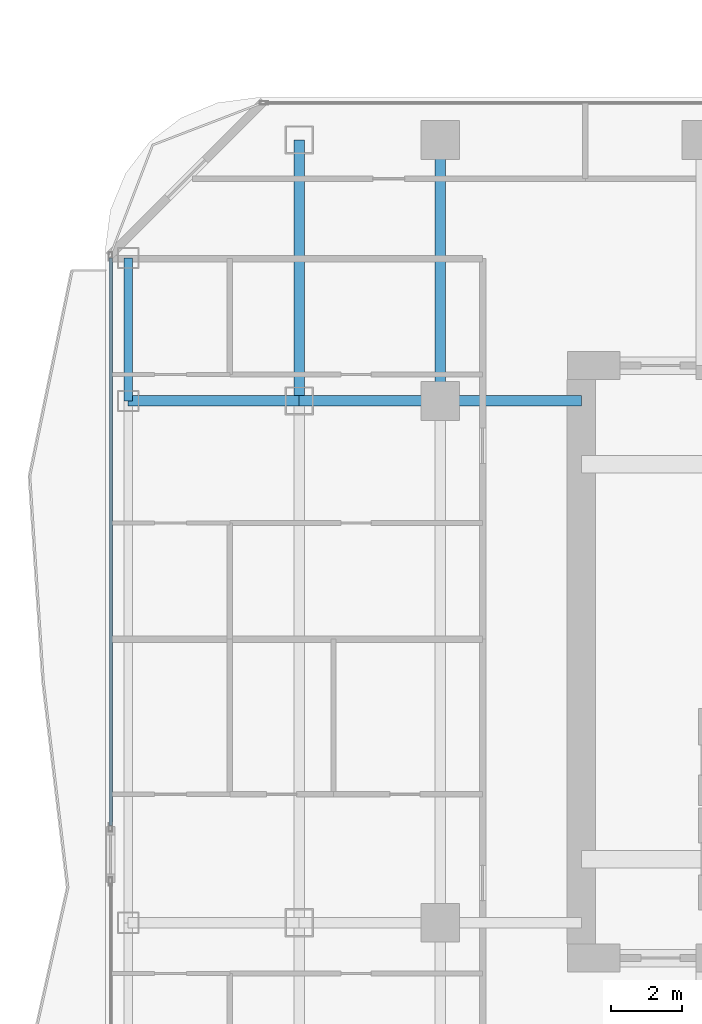
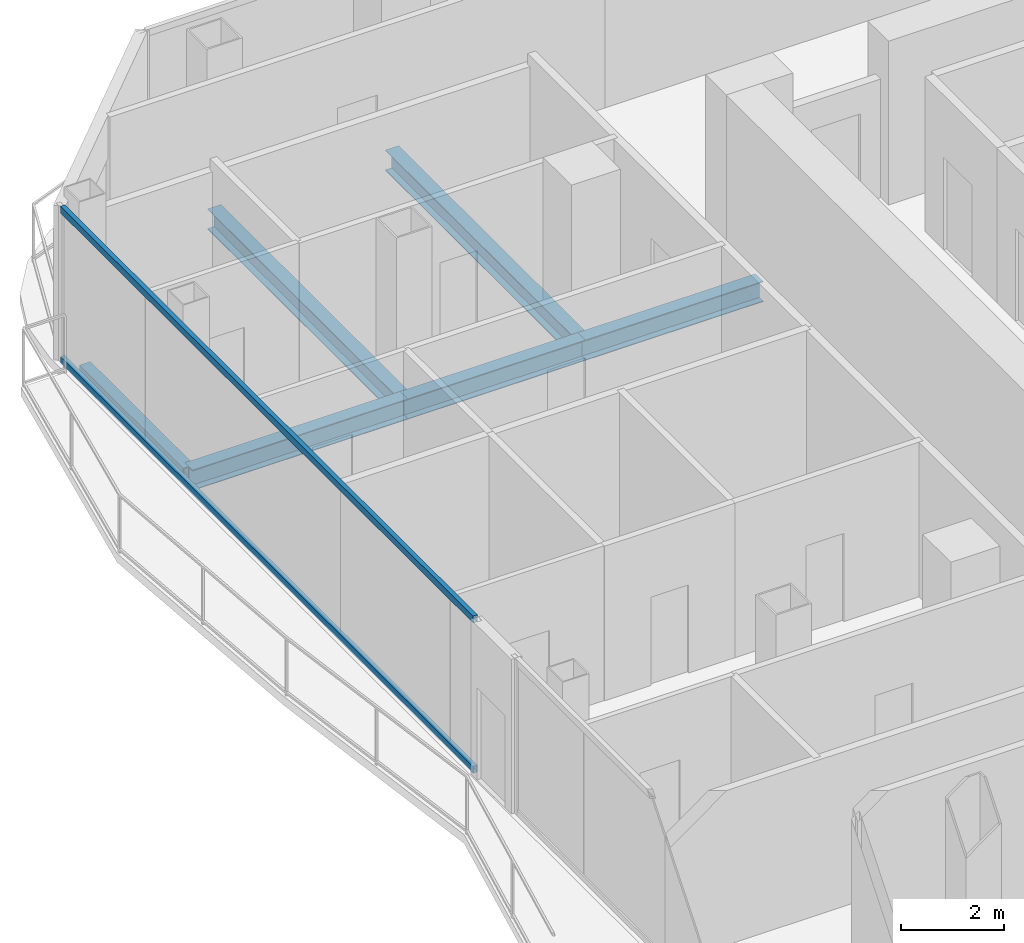
# One storey, part 10 of 23: 6 beams, 2 members, 1 element without a shape of its own.
"""IFC4 building model written with IfcOpenShell, lengths in metres."""

from ifc_helpers import new_model, si_unit, direction, frame, origin, origin_2d, place, context, subcontext, project, spatial, hollow_rectangle, i_section, extrude, material, layer, layer_set, material_profile, profile_set, type_object, element, aggregate, save


model = new_model("IFC4")

# Units and contexts
model_context = context("Model", 3, precision=1e-05, world=origin(), true_north=direction((0.0, 1.0)))
body_context = subcontext(model_context, "Body", "Model", "MODEL_VIEW")
ifc_project = project(units=[si_unit("LENGTHUNIT", "METRE"), si_unit("AREAUNIT", "SQUARE_METRE"), si_unit("VOLUMEUNIT", "CUBIC_METRE"), si_unit("PLANEANGLEUNIT", "RADIAN"), si_unit("MASSUNIT", "GRAM", prefix="KILO")], contexts=[model_context])

# Site, building, storey
site_placement = place(None, origin())
site = spatial("IfcSite", under=ifc_project, at=site_placement, CompositionType="ELEMENT")
building_placement = place(site_placement, origin())
building = spatial("IfcBuilding", under=site, at=building_placement, Name="Khorvyn Point Tower", CompositionType="ELEMENT")
storey_placement = place(building_placement, frame((0.0, 0.0, 195.300048828125)))
storey = spatial("IfcBuildingStorey", under=building, at=storey_placement, Name="L48", CompositionType="ELEMENT", Elevation=195.300048828125)

# Curtain wall, members
ifc_material_1 = material(Name="Anodised aluminium 6063-T6 and laminated Low-E glass", Category="aluminium")
ifc_layer = layer(ifc_material_1, 0.18994140625)
ifc_layer_set = layer_set([ifc_layer], Name="Stick-Built Acoustic Curtain Wall CW-SYS-03")
curtain_wall_type = type_object("IfcCurtainWallType", Name="Stick-Built Acoustic Curtain Wall CW-SYS-03", PredefinedType="NOTDEFINED", material=ifc_layer_set)
curtain_wall_placement = place(storey_placement, origin())
curtain_wall = element("IfcCurtainWall", 1, at=curtain_wall_placement, inside=storey, type_object=curtain_wall_type, Name="Curtain Wall", PredefinedType="NOTDEFINED")
ifc_material_2 = material(Name="Anodised aluminium 6063-T6", Category="aluminium")
ifc_material_profile_1 = material_profile(ifc_material_2, hollow_rectangle(XDim=0.10009765625, YDim=0.159912109375, WallThickness=0.00439453125, at=origin_2d()))
ifc_profile_set_1 = profile_set([ifc_material_profile_1], Name="Anodised aluminium 6063-T6 ALU-TRN-100x160")
member_type = type_object("IfcMemberType", Name="Anodised Aluminium 6063-T6 Transom ALU-TRN-100x160", PredefinedType="USERDEFINED", material=ifc_profile_set_1)
member_1_placement = place(storey_placement, frame((-24.14990234375, -4.64404296875, 0.050048828125), z_axis=(0.0, 1.0, 0.0), x_axis=(-1.0, 0.0, 0.0)))
member_1 = element("IfcMember", 2, at=member_1_placement, type_object=member_type, Name="Transom", ObjectType="TRANSOM", PredefinedType="USERDEFINED", context=body_context, shape_type="SweptSolid", body=[
    extrude(hollow_rectangle(XDim=0.10009765625, YDim=0.159912109375, WallThickness=0.00439453125, at=origin_2d()), origin(), (0.0, 0.0, 1.0), 16.093994140625),
])
member_2_placement = place(storey_placement, frame((-24.14990234375, -4.64404296875, 3.6298828125), z_axis=(0.0, 1.0, 0.0), x_axis=(-1.0, 0.0, 0.0)))
member_2 = element("IfcMember", 3, at=member_2_placement, type_object=member_type, Name="Transom", ObjectType="TRANSOM", PredefinedType="USERDEFINED", context=body_context, shape_type="SweptSolid", body=[
    extrude(hollow_rectangle(XDim=0.10009765625, YDim=0.159912109375, WallThickness=0.00439453125, at=origin_2d()), origin(), (0.0, 0.0, 1.0), 16.093994140625),
])
aggregate(curtain_wall, [member_1, member_2])

# Beams
ifc_material_3 = material(Name="Steel S355", Category="steel")
ifc_material_profile_2 = material_profile(ifc_material_3, i_section(OverallWidth=0.300048828125, OverallDepth=0.488037109375, WebThickness=0.010986328125, FlangeThickness=0.01806640625, at=origin_2d()))
ifc_profile_set_2 = profile_set([ifc_material_profile_2], Name="Steel S355 H488x300x11x18")
beam_type_1 = type_object("IfcBeamType", Name="Steel S355 Spandrel H488x300x11x18", PredefinedType="SPANDREL", material=ifc_profile_set_2)
beam_1_placement = place(storey_placement, frame((-23.64990234375, 7.39990234375, -0.464111328125), z_axis=(1.0, 0.0, 0.0), x_axis=(0.0, 1.0, 0.0)))
element("IfcBeam", 4, at=beam_1_placement, inside=storey, type_object=beam_type_1, Name="Beam", PredefinedType="SPANDREL", context=body_context, shape_type="SweptSolid", body=[
    extrude(i_section(OverallWidth=0.300048828125, OverallDepth=0.488037109375, WebThickness=0.010986328125, FlangeThickness=0.01806640625, at=origin_2d()), origin(), (0.0, 0.0, 1.0), 4.849853515625),
])
for number, where, z_axis, x_axis, name in (
    (5, (-18.800048828125, 7.39990234375, -0.464111328125), (1.0, 0.0, 0.0), (0.0, 1.0, 0.0), "Beam"),
    (6, (-14.800048828125, 7.39990234375, -0.464111328125), (1.0, 0.0, 0.0), (0.0, 1.0, 0.0), "Beam"),
):
    element("IfcBeam", number, at=place(storey_placement, frame(where, z_axis=z_axis, x_axis=x_axis)), inside=storey, type_object=beam_type_1, Name=name, PredefinedType="SPANDREL", context=body_context, shape_type="SweptSolid", body=[
        extrude(i_section(OverallWidth=0.300048828125, OverallDepth=0.488037109375, WebThickness=0.010986328125, FlangeThickness=0.01806640625, at=origin_2d()), origin(), (0.0, 0.0, 1.0), 4.0),
    ])
for number, where, z_axis, x_axis, name in (
    (7, (-14.800048828125, 7.39990234375, -0.464111328125), (0.0, 1.0, 0.0), (-1.0, 0.0, 0.0), "Beam"),
    (8, (-18.800048828125, 7.39990234375, -0.464111328125), (0.0, 1.0, 0.0), (-1.0, 0.0, 0.0), "Beam"),
):
    element("IfcBeam", number, at=place(storey_placement, frame(where, z_axis=z_axis, x_axis=x_axis)), inside=storey, type_object=beam_type_1, Name=name, PredefinedType="SPANDREL", context=body_context, shape_type="SweptSolid", body=[
        extrude(i_section(OverallWidth=0.300048828125, OverallDepth=0.488037109375, WebThickness=0.010986328125, FlangeThickness=0.01806640625, at=origin_2d()), origin(), (0.0, 0.0, 1.0), 7.400146484375),
    ])
ifc_material_profile_3 = material_profile(ifc_material_3, hollow_rectangle(XDim=0.25, YDim=0.39990234375, WallThickness=0.01611328125, at=origin_2d()))
ifc_profile_set_3 = profile_set([ifc_material_profile_3], Name="Steel S355 RHS400x250x16")
beam_type_2 = type_object("IfcBeamType", Name="Steel S355 Spandrel RHS400x250x16", PredefinedType="SPANDREL", material=ifc_profile_set_3)
beam_2_placement = place(storey_placement, frame((-23.64990234375, 7.39990234375, -0.420166015625), z_axis=(0.0, 1.0, 0.0), x_axis=(-1.0, 0.0, 0.0)))
element("IfcBeam", 9, at=beam_2_placement, inside=storey, type_object=beam_type_2, Name="Beam", PredefinedType="SPANDREL", context=body_context, shape_type="SweptSolid", body=[
    extrude(hollow_rectangle(XDim=0.25, YDim=0.39990234375, WallThickness=0.01611328125, at=origin_2d()), origin(), (0.0, 0.0, 1.0), 4.050048828125),
])

save(model, "model.ifc")
